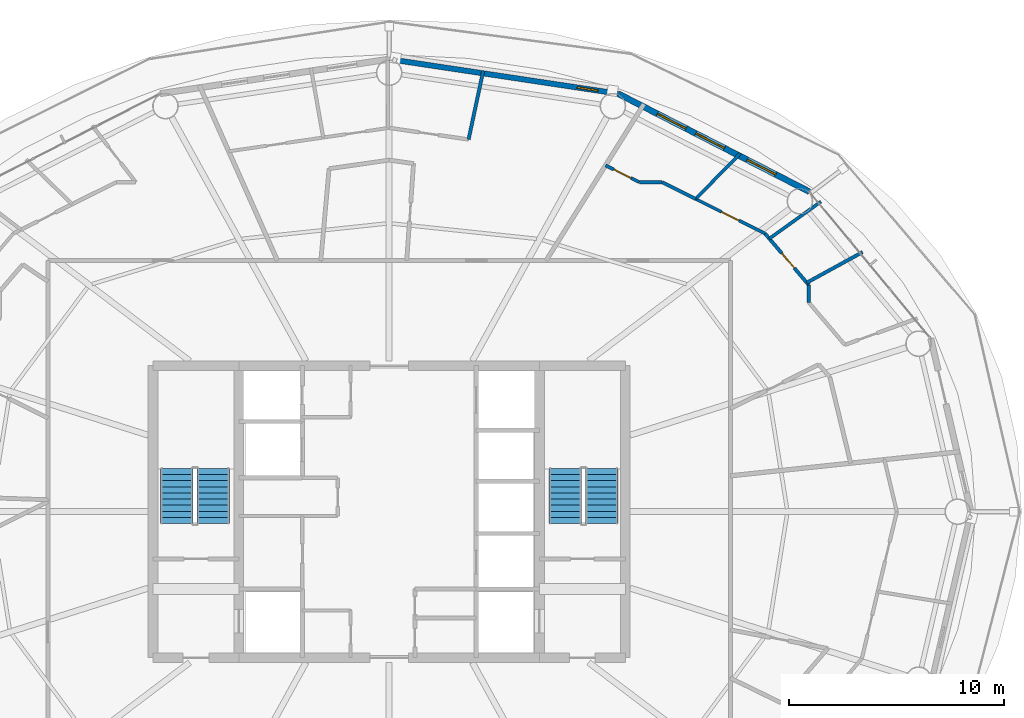
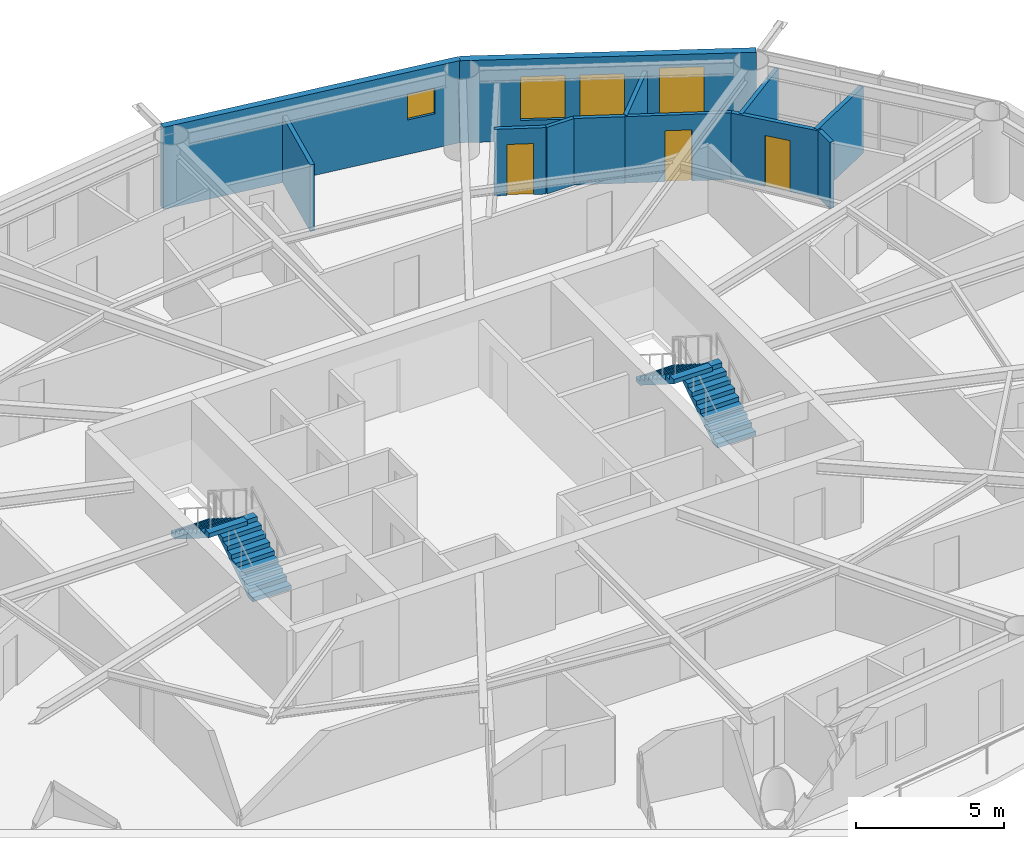
# One storey, part 25 of 28: 12 walls, 4 stair flights, 4 windows, 3 doors, 7 openings, 2 elements without a shape of their own.
"""IFC4 building model written with IfcOpenShell, lengths in metres."""

from ifc_helpers import new_model, si_unit, direction, frame, frame_2d, origin, place, context, subcontext, project, spatial, polyline, rectangle, outline, extrude, material, layer, layer_set, type_object, element, fill, aggregate, save


model = new_model("IFC4")

# Units and contexts
model_context = context("Model", 3, precision=1e-05, world=origin(), true_north=direction((0.0, 1.0)))
body_context = subcontext(model_context, "Body", "Model", "MODEL_VIEW")
ifc_project = project(units=[si_unit("LENGTHUNIT", "METRE"), si_unit("AREAUNIT", "SQUARE_METRE"), si_unit("VOLUMEUNIT", "CUBIC_METRE"), si_unit("PLANEANGLEUNIT", "RADIAN"), si_unit("MASSUNIT", "GRAM", prefix="KILO")], contexts=[model_context])

# Site, building, storey
site_placement = place(None, origin())
site = spatial("IfcSite", under=ifc_project, at=site_placement, CompositionType="ELEMENT")
building_placement = place(site_placement, origin())
building = spatial("IfcBuilding", under=site, at=building_placement, Name="Sarneth Arch Tower", CompositionType="ELEMENT")
storey_placement = place(building_placement, frame((0.0, 0.0, 190.199951171875)))
storey = spatial("IfcBuildingStorey", under=building, at=storey_placement, Name="L48", CompositionType="ELEMENT", Elevation=190.199951171875)

# Wall, opening, window
ifc_material_1 = material(Name="Extruded terracotta rainscreen on Concrete C40/50 backing", Category="masonry")
ifc_layer_1 = layer(ifc_material_1, 0.25)
ifc_layer_set_1 = layer_set([ifc_layer_1], Name="Extruded terracotta rainscreen on Concrete C40/50 backing")
wall_type_1 = type_object("IfcWallType", Name="WALL-EXT-SPAND-250", PredefinedType="SOLIDWALL", material=ifc_layer_set_1)
wall_1_placement = place(storey_placement, frame((58.662841796875, 61.475341796875, 0.0), z_axis=(0.0, 0.0, 1.0), x_axis=(-0.988863993413, 0.148822049884, 0.0)))
wall_1 = element("IfcWall", 1, at=wall_1_placement, inside=storey, type_object=wall_type_1, Name="L48 Terracotta perimeter wall 04", PredefinedType="SOLIDWALL", context=body_context, shape_type="SweptSolid", body=[
    extrude(rectangle(XDim=10.782958984375, YDim=0.25, at=frame_2d((5.3916015625, 0.0))), origin(), (0.0, 0.0, 1.0), 3.380126953125),
])
opening_1_placement = place(wall_1_placement, frame((0.931640625, 0.0, 1.419921875)))
opening_1 = element("IfcOpeningElement", 2, at=opening_1_placement, cuts=wall_1, Name="Opening W-14", PredefinedType="OPENING", context=body_context, shape_type="SweptSolid", body=[
    extrude(rectangle(XDim=1.0, YDim=1.050048828125, at=frame_2d((0.5, 0.52490234375))), frame((0.0, 0.135009765625, 0.0), z_axis=(0.0, -1.0, 0.0), x_axis=(1.0, 0.0, 0.0)), (0.0, 0.0, 1.0), 0.27001953125),
])
ifc_material_2 = material(Name="Thermally broken Aluminium 6063-T6 and low-e laminated IGU", Category="aluminium")
window_type_1 = type_object("IfcWindowType", Name="WIN-TWR-1000x1050", PartitioningType="SINGLE_PANEL", PredefinedType="WINDOW", material=ifc_material_2)
window_1_placement = place(opening_1_placement, origin())
window_1 = element("IfcWindow", 3, at=window_1_placement, inside=storey, type_object=window_type_1, Name="L48 Dwelling bedroom window 01", OverallHeight=1.050048828125, OverallWidth=1.0, PartitioningType="SINGLE_PANEL", PredefinedType="WINDOW", context=body_context, shape_type="SweptSolid", body=[
    extrude(rectangle(XDim=1.0, YDim=1.050048828125, at=frame_2d((0.5, 0.52490234375))), frame((0.0, 0.030029296875, 0.0), z_axis=(0.0, -1.0, 0.0), x_axis=(1.0, 0.0, 0.0)), (0.0, 0.0, 1.0), 0.06005859375),
])
fill(opening_1, window_1)

# Wall, openings, windows
ifc_material_3 = material(Name="Extruded terracotta rainscreen on Concrete C40/50 backing", Category="masonry")
ifc_layer_2 = layer(ifc_material_3, 0.280029296875)
ifc_layer_set_2 = layer_set([ifc_layer_2], Name="Extruded terracotta rainscreen on Concrete C40/50 backing")
wall_type_2 = type_object("IfcWallType", Name="WALL-EXT-TERRA-280", PredefinedType="SOLIDWALL", material=ifc_layer_set_2)
wall_2_placement = place(storey_placement, frame((67.576171875, 56.90576171875, 0.0), z_axis=(0.0, 0.0, 1.0), x_axis=(-0.889872523182, 0.456209263919, 0.0)))
wall_2 = element("IfcWall", 4, at=wall_2_placement, inside=storey, type_object=wall_type_2, Name="L48 Terracotta perimeter wall 03", PredefinedType="SOLIDWALL", context=body_context, shape_type="SweptSolid", body=[
    extrude(rectangle(XDim=10.016357421875, YDim=0.280029296875, at=frame_2d((5.00830078125, 0.0))), origin(), (0.0, 0.0, 1.0), 3.380126953125),
])
opening_2_placement = place(wall_2_placement, frame((1.760498046875, 0.0, 0.85009765625)))
opening_2 = element("IfcOpeningElement", 5, at=opening_2_placement, cuts=wall_2, Name="Opening W-06", PredefinedType="OPENING", context=body_context, shape_type="SweptSolid", body=[
    extrude(rectangle(XDim=1.5, YDim=2.0, at=frame_2d((0.75, 1.0))), frame((0.0, 0.14990234375, 0.0), z_axis=(0.0, -1.0, 0.0), x_axis=(1.0, 0.0, 0.0)), (0.0, 0.0, 1.0), 0.300048828125),
])
opening_3_placement = place(wall_2_placement, frame((4.445068359375, 0.0, 0.85009765625)))
opening_3 = element("IfcOpeningElement", 6, at=opening_3_placement, cuts=wall_2, Name="Opening W-07", PredefinedType="OPENING", context=body_context, shape_type="SweptSolid", body=[
    extrude(rectangle(XDim=1.5, YDim=1.800048828125, at=frame_2d((0.75, 0.89990234375))), frame((0.0, 0.14990234375, 0.0), z_axis=(0.0, -1.0, 0.0), x_axis=(1.0, 0.0, 0.0)), (0.0, 0.0, 1.0), 0.300048828125),
])
opening_4_placement = place(wall_2_placement, frame((6.45947265625, 0.0, 0.85009765625)))
opening_4 = element("IfcOpeningElement", 7, at=opening_4_placement, cuts=wall_2, Name="Opening W-07", PredefinedType="OPENING", context=body_context, shape_type="SweptSolid", body=[
    extrude(rectangle(XDim=1.5, YDim=1.800048828125, at=frame_2d((0.75, 0.89990234375))), frame((0.0, 0.14990234375, 0.0), z_axis=(0.0, -1.0, 0.0), x_axis=(1.0, 0.0, 0.0)), (0.0, 0.0, 1.0), 0.300048828125),
])
ifc_material_4 = material(Name="Thermally broken Aluminium 6063-T6 and low-e laminated IGU", Category="aluminium")
window_type_2 = type_object("IfcWindowType", Name="WIN-TWR-1500x1800", PartitioningType="SINGLE_PANEL", PredefinedType="WINDOW", material=ifc_material_4)
window_2_placement = place(opening_3_placement, origin())
window_2 = element("IfcWindow", 8, at=window_2_placement, inside=storey, type_object=window_type_2, Name="L48 Exterior window 03B", OverallHeight=1.800048828125, OverallWidth=1.5, PartitioningType="SINGLE_PANEL", PredefinedType="WINDOW", context=body_context, shape_type="SweptSolid", body=[
    extrude(rectangle(XDim=1.5, YDim=1.800048828125, at=frame_2d((0.75, 0.89990234375))), frame((0.0, 0.030029296875, 0.0), z_axis=(0.0, -1.0, 0.0), x_axis=(1.0, 0.0, 0.0)), (0.0, 0.0, 1.0), 0.06005859375),
])
fill(opening_3, window_2)
window_3_placement = place(opening_4_placement, origin())
window_3 = element("IfcWindow", 9, at=window_3_placement, inside=storey, type_object=window_type_2, Name="L48 Exterior window 03C", OverallHeight=1.800048828125, OverallWidth=1.5, PartitioningType="SINGLE_PANEL", PredefinedType="WINDOW", context=body_context, shape_type="SweptSolid", body=[
    extrude(rectangle(XDim=1.5, YDim=1.800048828125, at=frame_2d((0.75, 0.89990234375))), frame((0.0, 0.030029296875, 0.0), z_axis=(0.0, -1.0, 0.0), x_axis=(1.0, 0.0, 0.0)), (0.0, 0.0, 1.0), 0.06005859375),
])
fill(opening_4, window_3)
ifc_material_5 = material(Name="Thermally broken Aluminium 6063-T6 and low-e laminated IGU", Category="aluminium")
window_type_3 = type_object("IfcWindowType", Name="WIN-TWR-1500x2000", PartitioningType="SINGLE_PANEL", PredefinedType="WINDOW", material=ifc_material_5)
window_4_placement = place(opening_2_placement, origin())
window_4 = element("IfcWindow", 10, at=window_4_placement, inside=storey, type_object=window_type_3, Name="L48 Exterior window 03A", OverallHeight=2.0, OverallWidth=1.5, PartitioningType="SINGLE_PANEL", PredefinedType="WINDOW", context=body_context, shape_type="SweptSolid", body=[
    extrude(rectangle(XDim=1.5, YDim=2.0, at=frame_2d((0.75, 1.0))), frame((0.0, 0.030029296875, 0.0), z_axis=(0.0, -1.0, 0.0), x_axis=(1.0, 0.0, 0.0)), (0.0, 0.0, 1.0), 0.06005859375),
])
fill(opening_2, window_4)

# Wall, opening, door
ifc_material_6 = material(Name="Apartment internal stud partition", Category="gypsum")
ifc_layer_3 = layer(ifc_material_6, 0.139892578125)
ifc_layer_set_3 = layer_set([ifc_layer_3], Name="Apartment internal stud partition")
wall_type_3 = type_object("IfcWallType", Name="WALL-PART-140", PredefinedType="PARTITIONING", material=ifc_layer_set_3)
wall_3_placement = place(storey_placement, frame((65.5048828125, 54.961181640625, 0.0), z_axis=(0.0, 0.0, 1.0), x_axis=(-0.894941244144, 0.4461840086, 0.0)))
wall_3 = element("IfcWall", 11, at=wall_3_placement, inside=storey, type_object=wall_type_3, Name="L48 Interior partition W-L48-TP-029", PredefinedType="PARTITIONING", context=body_context, shape_type="SweptSolid", body=[
    extrude(rectangle(XDim=3.605224609375, YDim=0.139892578125, at=frame_2d((1.802734375, 0.0))), origin(), (0.0, 0.0, 1.0), 2.739990234375),
])
opening_5_placement = place(wall_3_placement, frame((1.3525390625, 0.0, 0.0)))
opening_5 = element("IfcOpeningElement", 12, at=opening_5_placement, cuts=wall_3, Name="Opening ID-01", PredefinedType="OPENING", context=body_context, shape_type="SweptSolid", body=[
    extrude(rectangle(XDim=0.89990234375, YDim=2.10009765625, at=frame_2d((0.449951171875, 1.050048828125))), frame((0.0, 0.079833984375, 0.0), z_axis=(0.0, -1.0, 0.0), x_axis=(1.0, 0.0, 0.0)), (0.0, 0.0, 1.0), 0.159912109375),
])
ifc_material_7 = material(Name="Engineered hardwood flush door", Category="wood")
door_type = type_object("IfcDoorType", Name="DR-INT-900", OperationType="SINGLE_SWING_LEFT", PredefinedType="DOOR", material=ifc_material_7)
door_1_placement = place(opening_5_placement, origin())
door_1 = element("IfcDoor", 13, at=door_1_placement, inside=storey, type_object=door_type, Name="L48 Interior door DR-L48-U1-BED2", OperationType="SINGLE_SWING_RIGHT", OverallHeight=2.10009765625, OverallWidth=0.89990234375, PredefinedType="DOOR", context=body_context, shape_type="SweptSolid", body=[
    extrude(rectangle(XDim=0.89990234375, YDim=2.10009765625, at=frame_2d((0.449951171875, 1.050048828125))), frame((0.0, 0.02490234375, 0.0), z_axis=(0.0, -1.0, 0.0), x_axis=(1.0, 0.0, 0.0)), (0.0, 0.0, 1.0), 0.050048828125),
])
fill(opening_5, door_1)

# Walls
ifc_material_8 = material(Name="Acoustic gypsum stud partition", Category="gypsum")
ifc_layer_4 = layer(ifc_material_8, 0.14990234375)
ifc_layer_set_4 = layer_set([ifc_layer_4], Name="Acoustic gypsum stud partition")
wall_type_4 = type_object("IfcWallType", Name="WALL-PART-150", PredefinedType="PARTITIONING", material=ifc_layer_set_4)
wall_4_placement = place(storey_placement, frame((64.35302734375, 58.68701171875, 0.0), z_axis=(0.0, 0.0, 1.0), x_axis=(-0.699905055024, -0.714235895172, 0.0)))
element("IfcWall", 14, at=wall_4_placement, inside=storey, type_object=wall_type_4, Name="L48 Interior partition W-L48-TP-039", PredefinedType="PARTITIONING", context=body_context, shape_type="SweptSolid", body=[
    extrude(rectangle(XDim=2.96435546875, YDim=0.14990234375, at=frame_2d((1.482177734375, 0.0))), origin(), (0.0, 0.0, 1.0), 2.739990234375),
])
wall_5_placement = place(storey_placement, frame((68.11328125, 56.4443359375, 0.0), z_axis=(0.0, 0.0, 1.0), x_axis=(-0.812258557349, -0.583297553581, 0.0)))
element("IfcWall", 15, at=wall_5_placement, inside=storey, type_object=wall_type_4, Name="L48 Interior partition W-L48-TP-038", PredefinedType="PARTITIONING", context=body_context, shape_type="SweptSolid", body=[
    extrude(rectangle(XDim=2.9580078125, YDim=0.14990234375, at=frame_2d((1.47900390625, 0.0))), origin(), (0.0, 0.0, 1.0), 2.739990234375),
])

# Wall, opening, door
wall_6_placement = place(storey_placement, frame((59.651123046875, 57.35009765625, 0.0), z_axis=(0.0, 0.0, 1.0), x_axis=(-0.895038630404, 0.445988621027, 0.0)))
wall_6 = element("IfcWall", 16, at=wall_6_placement, inside=storey, type_object=wall_type_4, Name="L48 Interior partition W-L48-TP-032", PredefinedType="PARTITIONING", context=body_context, shape_type="SweptSolid", body=[
    extrude(rectangle(XDim=1.75439453125, YDim=0.14990234375, at=frame_2d((0.877197265625, 0.0))), origin(), (0.0, 0.0, 1.0), 2.739990234375),
])
opening_6_placement = place(wall_6_placement, frame((0.42724609375, 0.0, 0.0)))
opening_6 = element("IfcOpeningElement", 17, at=opening_6_placement, cuts=wall_6, Name="Opening ID-01", PredefinedType="OPENING", context=body_context, shape_type="SweptSolid", body=[
    extrude(rectangle(XDim=0.89990234375, YDim=2.10009765625, at=frame_2d((0.449951171875, 1.050048828125))), frame((0.0, 0.0849609375, 0.0), z_axis=(0.0, -1.0, 0.0), x_axis=(1.0, 0.0, 0.0)), (0.0, 0.0, 1.0), 0.169921875),
])
door_2_placement = place(opening_6_placement, origin())
door_2 = element("IfcDoor", 18, at=door_2_placement, inside=storey, type_object=door_type, Name="L48 Interior door DR-L48-U1-BED3", OperationType="SINGLE_SWING_RIGHT", OverallHeight=2.10009765625, OverallWidth=0.89990234375, PredefinedType="DOOR", context=body_context, shape_type="SweptSolid", body=[
    extrude(rectangle(XDim=0.89990234375, YDim=2.10009765625, at=frame_2d((0.449951171875, 1.050048828125))), frame((0.0, 0.02490234375, 0.0), z_axis=(0.0, -1.0, 0.0), x_axis=(1.0, 0.0, 0.0)), (0.0, 0.0, 1.0), 0.050048828125),
])
fill(opening_6, door_2)

# Walls
wall_7_placement = place(storey_placement, frame((62.2783203125, 56.56982421875, 0.0), z_axis=(0.0, 0.0, 1.0), x_axis=(-0.894929238491, 0.446208088333, 0.0)))
element("IfcWall", 19, at=wall_7_placement, inside=storey, type_object=wall_type_4, Name="L48 Interior partition W-L48-TP-030", PredefinedType="PARTITIONING", context=body_context, shape_type="SweptSolid", body=[
    extrude(rectangle(XDim=1.748779296875, YDim=0.14990234375, at=frame_2d((0.87451171875, 0.0))), origin(), (0.0, 0.0, 1.0), 2.739990234375),
])
wall_8_placement = place(storey_placement, frame((60.71337890625, 57.35009765625, 0.0), z_axis=(0.0, 0.0, 1.0), x_axis=(-1.0, 0.0, 0.0)))
element("IfcWall", 20, at=wall_8_placement, inside=storey, type_object=wall_type_4, Name="L48 Interior partition W-L48-TP-031", PredefinedType="PARTITIONING", context=body_context, shape_type="SweptSolid", body=[
    extrude(rectangle(XDim=1.062255859375, YDim=0.14990234375, at=frame_2d((0.53125, 0.0))), origin(), (0.0, 0.0, 1.0), 2.739990234375),
])
ifc_material_9 = material(Name="Kitchen wet service chase wall", Category="gypsum")
ifc_layer_5 = layer(ifc_material_9, 0.159912109375)
ifc_layer_set_5 = layer_set([ifc_layer_5], Name="Kitchen wet service chase wall")
wall_type_5 = type_object("IfcWallType", Name="WALL-PLUMB-160", PredefinedType="PLUMBINGWALL", material=ifc_layer_set_5)
wall_9_placement = place(storey_placement, frame((52.382080078125, 62.541748046875, 0.0), z_axis=(0.0, 0.0, 1.0), x_axis=(-0.208602341862, -0.97800054344, 0.0)))
element("IfcWall", 21, at=wall_9_placement, inside=storey, type_object=wall_type_5, Name="L48 Interior partition W-L48-TP-041", PredefinedType="PLUMBINGWALL", context=body_context, shape_type="SweptSolid", body=[
    extrude(rectangle(XDim=3.274658203125, YDim=0.159912109375, at=frame_2d((1.63720703125, 0.0))), origin(), (0.0, 0.0, 1.0), 2.739990234375),
])
wall_10_placement = place(storey_placement, frame((67.455322265625, 52.667724609375, 0.0), z_axis=(0.0, 0.0, 1.0), x_axis=(0.876839283097, 0.480783601653, 0.0)))
element("IfcWall", 22, at=wall_10_placement, inside=storey, type_object=wall_type_5, Name="L48 Interior partition W-L48-TP-036", PredefinedType="PLUMBINGWALL", context=body_context, shape_type="SweptSolid", body=[
    extrude(rectangle(XDim=2.965087890625, YDim=0.159912109375, at=frame_2d((1.482421875, 0.0))), origin(), (0.0, 0.0, 1.0), 2.739990234375),
])

# Wall, opening, door
wall_11_placement = place(storey_placement, frame((65.5048828125, 54.961181640625, 0.0), z_axis=(0.0, 0.0, 1.0), x_axis=(0.647888606369, -0.761735094201, 0.0)))
wall_11 = element("IfcWall", 23, at=wall_11_placement, inside=storey, type_object=wall_type_5, Name="L48 Interior partition W-L48-TP-027", PredefinedType="PLUMBINGWALL", context=body_context, shape_type="SweptSolid", body=[
    extrude(rectangle(XDim=3.15673828125, YDim=0.159912109375, at=frame_2d((1.578369140625, 0.0))), origin(), (0.0, 0.0, 1.0), 2.739990234375),
])
opening_7_placement = place(wall_11_placement, frame((1.214599609375, 0.0, 0.0)))
opening_7 = element("IfcOpeningElement", 24, at=opening_7_placement, cuts=wall_11, Name="Opening ID-01", PredefinedType="OPENING", context=body_context, shape_type="SweptSolid", body=[
    extrude(rectangle(XDim=0.89990234375, YDim=2.10009765625, at=frame_2d((0.449951171875, 1.050048828125))), frame((0.0, 0.08984375, 0.0), z_axis=(0.0, -1.0, 0.0), x_axis=(1.0, 0.0, 0.0)), (0.0, 0.0, 1.0), 0.179931640625),
])
door_3_placement = place(opening_7_placement, origin())
door_3 = element("IfcDoor", 25, at=door_3_placement, inside=storey, type_object=door_type, Name="L48 Interior door DR-L48-U1-BED1", OperationType="SINGLE_SWING_LEFT", OverallHeight=2.10009765625, OverallWidth=0.89990234375, PredefinedType="DOOR", context=body_context, shape_type="SweptSolid", body=[
    extrude(rectangle(XDim=0.89990234375, YDim=2.10009765625, at=frame_2d((0.449951171875, 1.050048828125))), frame((0.0, 0.02490234375, 0.0), z_axis=(0.0, -1.0, 0.0), x_axis=(1.0, 0.0, 0.0)), (0.0, 0.0, 1.0), 0.050048828125),
])
fill(opening_7, door_3)

# Wall
wall_12_placement = place(storey_placement, frame((67.550048828125, 51.744384765625, 0.0), z_axis=(0.0, 0.0, 1.0), x_axis=(0.0, 1.0, 0.0)))
element("IfcWall", 26, at=wall_12_placement, inside=storey, type_object=wall_type_5, Name="L48 Interior partition W-L48-TP-022", PredefinedType="PLUMBINGWALL", context=body_context, shape_type="SweptSolid", body=[
    extrude(rectangle(XDim=0.812255859375, YDim=0.159912109375, at=frame_2d((0.40625, 0.0))), origin(), (0.0, 0.0, 1.0), 2.739990234375),
])

# Stair, stair flights
ifc_material_10 = material(Name="Concrete C50/60", Category="concrete")
stair_type = type_object("IfcStairType", Name="STAIR-CORE-RC", PredefinedType="HALF_TURN_STAIR", material=ifc_material_10)
stair_1_placement = place(storey_placement, origin())
stair_1 = element("IfcStair", 27, at=stair_1_placement, inside=storey, type_object=stair_type, Name="L48 Core Exit Stair 1", PredefinedType="HALF_TURN_STAIR")
ifc_material_11 = material(Name="Concrete C50/60", Category="concrete")
stair_flight_type = type_object("IfcStairFlightType", Name="FLIGHT-RC-1500", PredefinedType="STRAIGHT", material=ifc_material_11)
stair_flight_1_placement = place(storey_placement, frame((39.800048828125, 41.449951171875, 0.0), z_axis=(0.0, 0.0, 1.0), x_axis=(0.0, 1.0, 0.0)))
stair_flight_1 = element("IfcStairFlight", 28, at=stair_flight_1_placement, type_object=stair_flight_type, Name="ST-1 flight 1", NumberOfRisers=10, NumberOfTreads=9, PredefinedType="STRAIGHT", RiserHeight=0.18, TreadLength=0.285, context=body_context, shape_type="SweptSolid", body=[
    extrude(outline(polyline([(0.0, 0.0), (0.0, 0.179931640625), (0.284912109375, 0.179931640625), (0.284912109375, 0.360107421875), (0.570068359375, 0.360107421875), (0.570068359375, 0.5400390625), (0.85498046875, 0.5400390625), (0.85498046875, 0.719970703125), (1.139892578125, 0.719970703125), (1.139892578125, 0.89990234375), (1.425048828125, 0.89990234375), (1.425048828125, 1.080078125), (1.7099609375, 1.080078125), (1.7099609375, 1.260009765625), (1.9951171875, 1.260009765625), (1.9951171875, 1.43994140625), (2.280029296875, 1.43994140625), (2.280029296875, 1.6201171875), (2.56494140625, 1.6201171875), (2.56494140625, 1.800048828125), (2.56494140625, 1.442626953125), (0.28076171875, 0.0), (0.0, 0.0)])), frame((0.0, 0.75, 0.0), z_axis=(0.0, -1.0, 0.0), x_axis=(1.0, 0.0, 0.0)), (0.0, 0.0, 1.0), 1.5),
])
stair_flight_2_placement = place(storey_placement, frame((38.10009765625, 44.014892578125, 1.800048828125), z_axis=(0.0, 0.0, 1.0), x_axis=(0.0, -1.0, 0.0)))
stair_flight_2 = element("IfcStairFlight", 29, at=stair_flight_2_placement, type_object=stair_flight_type, Name="ST-1 flight 2", NumberOfRisers=10, NumberOfTreads=9, PredefinedType="STRAIGHT", RiserHeight=0.18, TreadLength=0.285, context=body_context, shape_type="SweptSolid", body=[
    extrude(outline(polyline([(0.0, 0.0), (0.0, 0.179931640625), (0.284912109375, 0.179931640625), (0.284912109375, 0.360107421875), (0.570068359375, 0.360107421875), (0.570068359375, 0.5400390625), (0.85498046875, 0.5400390625), (0.85498046875, 0.719970703125), (1.139892578125, 0.719970703125), (1.139892578125, 0.89990234375), (1.425048828125, 0.89990234375), (1.425048828125, 1.080078125), (1.7099609375, 1.080078125), (1.7099609375, 1.260009765625), (1.9951171875, 1.260009765625), (1.9951171875, 1.43994140625), (2.280029296875, 1.43994140625), (2.280029296875, 1.6201171875), (2.56494140625, 1.6201171875), (2.56494140625, 1.800048828125), (2.56494140625, 1.442626953125), (0.28076171875, 0.0), (0.0, 0.0)])), frame((0.0, 0.75, 0.0), z_axis=(0.0, -1.0, 0.0), x_axis=(1.0, 0.0, 0.0)), (0.0, 0.0, 1.0), 1.5),
])
aggregate(stair_1, [stair_flight_1, stair_flight_2])

stair_2_placement = place(storey_placement, origin())
stair_2 = element("IfcStair", 30, at=stair_2_placement, inside=storey, type_object=stair_type, Name="L48 Core Exit Stair 2", PredefinedType="HALF_TURN_STAIR")
stair_flight_3_placement = place(storey_placement, frame((57.89990234375, 41.449951171875, 0.0), z_axis=(0.0, 0.0, 1.0), x_axis=(0.0, 1.0, 0.0)))
stair_flight_3 = element("IfcStairFlight", 31, at=stair_flight_3_placement, type_object=stair_flight_type, Name="ST-2 flight 1", NumberOfRisers=10, NumberOfTreads=9, PredefinedType="STRAIGHT", RiserHeight=0.18, TreadLength=0.285, context=body_context, shape_type="SweptSolid", body=[
    extrude(outline(polyline([(0.0, 0.0), (0.0, 0.179931640625), (0.284912109375, 0.179931640625), (0.284912109375, 0.360107421875), (0.570068359375, 0.360107421875), (0.570068359375, 0.5400390625), (0.85498046875, 0.5400390625), (0.85498046875, 0.719970703125), (1.139892578125, 0.719970703125), (1.139892578125, 0.89990234375), (1.425048828125, 0.89990234375), (1.425048828125, 1.080078125), (1.7099609375, 1.080078125), (1.7099609375, 1.260009765625), (1.9951171875, 1.260009765625), (1.9951171875, 1.43994140625), (2.280029296875, 1.43994140625), (2.280029296875, 1.6201171875), (2.56494140625, 1.6201171875), (2.56494140625, 1.800048828125), (2.56494140625, 1.442626953125), (0.28076171875, 0.0), (0.0, 0.0)])), frame((0.0, 0.75, 0.0), z_axis=(0.0, -1.0, 0.0), x_axis=(1.0, 0.0, 0.0)), (0.0, 0.0, 1.0), 1.5),
])
stair_flight_4_placement = place(storey_placement, frame((56.199951171875, 44.014892578125, 1.800048828125), z_axis=(0.0, 0.0, 1.0), x_axis=(0.0, -1.0, 0.0)))
stair_flight_4 = element("IfcStairFlight", 32, at=stair_flight_4_placement, type_object=stair_flight_type, Name="ST-2 flight 2", NumberOfRisers=10, NumberOfTreads=9, PredefinedType="STRAIGHT", RiserHeight=0.18, TreadLength=0.285, context=body_context, shape_type="SweptSolid", body=[
    extrude(outline(polyline([(0.0, 0.0), (0.0, 0.179931640625), (0.284912109375, 0.179931640625), (0.284912109375, 0.360107421875), (0.570068359375, 0.360107421875), (0.570068359375, 0.5400390625), (0.85498046875, 0.5400390625), (0.85498046875, 0.719970703125), (1.139892578125, 0.719970703125), (1.139892578125, 0.89990234375), (1.425048828125, 0.89990234375), (1.425048828125, 1.080078125), (1.7099609375, 1.080078125), (1.7099609375, 1.260009765625), (1.9951171875, 1.260009765625), (1.9951171875, 1.43994140625), (2.280029296875, 1.43994140625), (2.280029296875, 1.6201171875), (2.56494140625, 1.6201171875), (2.56494140625, 1.800048828125), (2.56494140625, 1.442626953125), (0.28076171875, 0.0), (0.0, 0.0)])), frame((0.0, 0.75, 0.0), z_axis=(0.0, -1.0, 0.0), x_axis=(1.0, 0.0, 0.0)), (0.0, 0.0, 1.0), 1.5),
])
aggregate(stair_2, [stair_flight_3, stair_flight_4])

save(model, "model.ifc")
